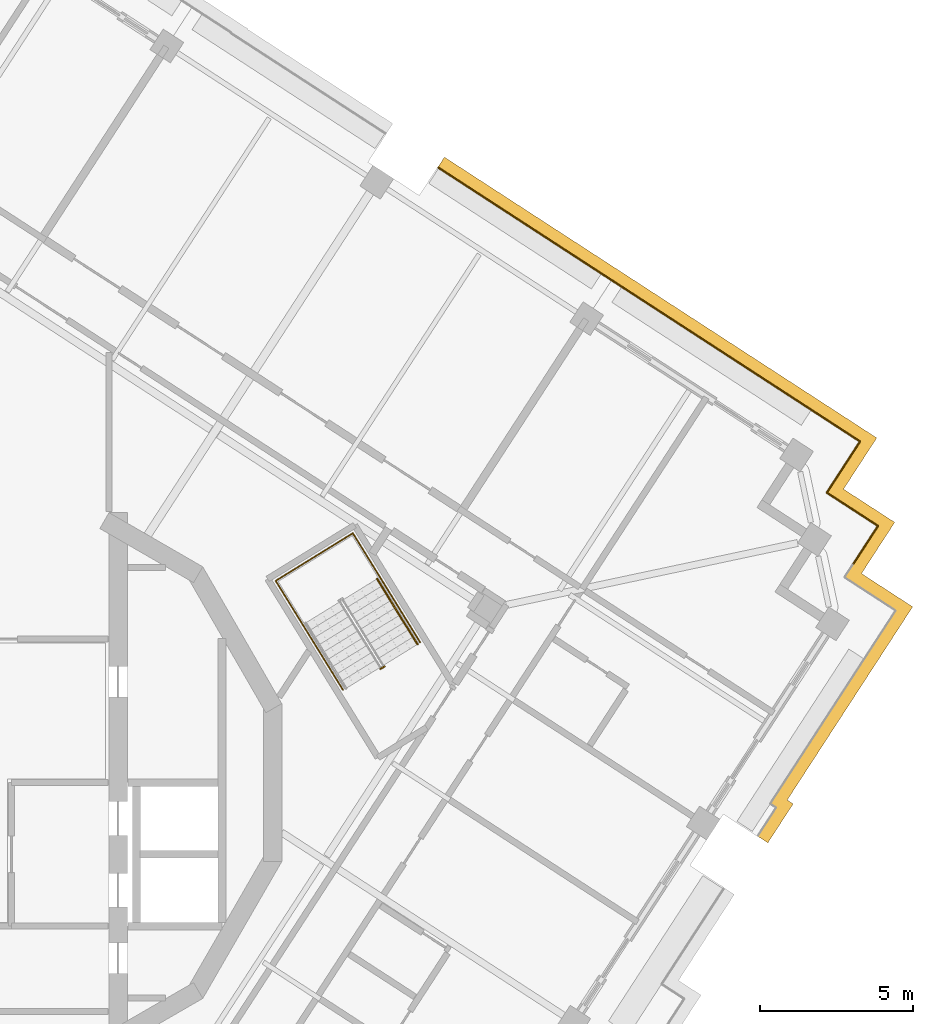
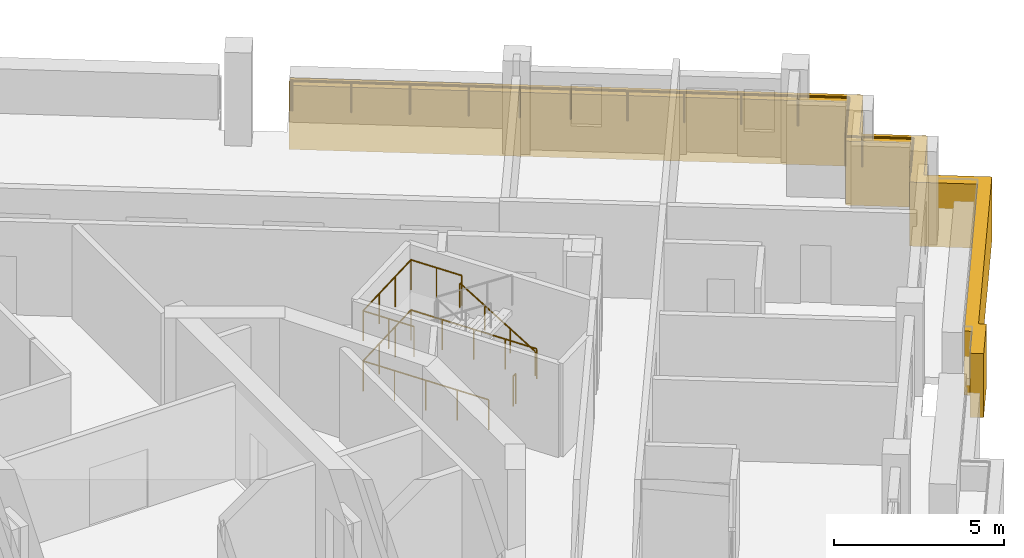
# One storey, part 14 of 15: 5 railings, 1 covering.
"""IFC4 building model written with IfcOpenShell, lengths in metres."""

from ifc_helpers import new_model, si_unit, direction, frame, origin, origin_2d, place, context, subcontext, project, spatial, polyline, circle, outline, extrude, material, type_object, element, save


model = new_model("IFC4")

# Units and contexts
model_context = context("Model", 3, precision=1e-05, world=origin(), true_north=direction((0.0, 1.0)))
body_context = subcontext(model_context, "Body", "Model", "MODEL_VIEW")
ifc_project = project(units=[si_unit("LENGTHUNIT", "METRE"), si_unit("AREAUNIT", "SQUARE_METRE"), si_unit("VOLUMEUNIT", "CUBIC_METRE"), si_unit("PLANEANGLEUNIT", "RADIAN"), si_unit("MASSUNIT", "GRAM", prefix="KILO")], contexts=[model_context])

# Site, building, storey
site_placement = place(None, origin())
site = spatial("IfcSite", under=ifc_project, at=site_placement, CompositionType="ELEMENT")
building_placement = place(site_placement, origin())
building = spatial("IfcBuilding", under=site, at=building_placement, Name="Cantera Rosa Tower", CompositionType="ELEMENT")
storey_placement = place(building_placement, frame((0.0, 0.0, 272.10009765625)))
storey = spatial("IfcBuildingStorey", under=building, at=storey_placement, Name="L61", CompositionType="ELEMENT", Elevation=272.10009765625)

# Railings
ifc_material_1 = material(Name="Stainless steel and laminated glass", Category="steel")
railing_type_1 = type_object("IfcRailingType", Name="GUARD 1100", PredefinedType="BALUSTRADE", material=ifc_material_1)
railing_1_placement = place(storey_placement, frame((14.7880859375, 20.14599609375, 0.0)))
element("IfcRailing", 1, at=railing_1_placement, inside=storey, type_object=railing_type_1, Name="GUARD L61-8", PredefinedType="BALUSTRADE", context=body_context, shape_type="SweptSolid", body=[
    extrude(circle(Radius=0.030029296875, at=origin_2d()), frame((0.0, 0.0, 1.070068359375), z_axis=(0.838443616301, -0.544988350595, 0.0), x_axis=(0.544988350595, 0.838443616301, 0.0)), (0.0, 0.0, 1.0), 0.06982421875),
    extrude(circle(Radius=0.030029296875, at=origin_2d()), frame((0.05859375, -0.0380859375, 1.070068359375), z_axis=(0.838657010828, -0.544659910576, 0.0), x_axis=(0.544659910576, 0.838657010828, 0.0)), (0.0, 0.0, 1.0), 5.2001953125),
    extrude(circle(Radius=0.030029296875, at=origin_2d()), frame((4.419677734375, -2.870361328125, 1.070068359375), z_axis=(0.8387001057, -0.544593548161, 0.0), x_axis=(0.544593548161, 0.8387001057, 0.0)), (0.0, 0.0, 1.0), 3.0),
    extrude(circle(Radius=0.030029296875, at=origin_2d()), frame((6.935791015625, -4.504150390625, 1.070068359375), z_axis=(0.838666659313, -0.544645053734, 0.0), x_axis=(0.544645053734, 0.838666659313, 0.0)), (0.0, 0.0, 1.0), 6.7001953125),
    extrude(circle(Radius=0.030029296875, at=origin_2d()), frame((12.554931640625, -8.1533203125, 1.070068359375), z_axis=(0.838651824232, -0.544667896716, 0.0), x_axis=(0.544667896716, 0.838651824232, 0.0)), (0.0, 0.0, 1.0), 1.499755859375),
    extrude(circle(Radius=0.030029296875, at=origin_2d()), frame((13.812744140625, -8.97021484375, 1.070068359375), z_axis=(-0.544593548161, -0.8387001057, 0.0), x_axis=(0.8387001057, -0.544593548161, 0.0)), (0.0, 0.0, 1.0), 1.5),
    extrude(circle(Radius=0.030029296875, at=origin_2d()), frame((12.995849609375, -10.228271484375, 1.070068359375), z_axis=(-0.544627753175, -0.83867789435, 0.0), x_axis=(0.83867789435, -0.544627753175, 0.0)), (0.0, 0.0, 1.0), 0.499755859375),
    extrude(circle(Radius=0.030029296875, at=origin_2d()), frame((12.7236328125, -10.6474609375, 1.070068359375), z_axis=(0.838454772945, -0.544971186143, 0.0), x_axis=(0.544971186143, 0.838454772945, 0.0)), (0.0, 0.0, 1.0), 0.5),
    extrude(circle(Radius=0.030029296875, at=origin_2d()), frame((13.142822265625, -10.919921875, 1.070068359375), z_axis=(0.8387001057, -0.544593548161, 0.0), x_axis=(0.544593548161, 0.8387001057, 0.0)), (0.0, 0.0, 1.0), 1.5),
    extrude(circle(Radius=0.030029296875, at=origin_2d()), frame((14.40087890625, -11.73681640625, 1.070068359375), z_axis=(-0.544593548161, -0.8387001057, 0.0), x_axis=(0.8387001057, -0.544593548161, 0.0)), (0.0, 0.0, 1.0), 1.5),
    extrude(circle(Radius=0.02490234375, at=origin_2d()), origin(), (0.0, 0.0, 1.0), 1.0400390625),
    extrude(circle(Radius=0.02490234375, at=origin_2d()), frame((0.05859375, -0.0380859375, 0.0)), (0.0, 0.0, 1.0), 1.0400390625),
    extrude(circle(Radius=0.02490234375, at=origin_2d()), frame((1.51220703125, -0.982177734375, 0.0)), (0.0, 0.0, 1.0), 1.0400390625),
    extrude(circle(Radius=0.02490234375, at=origin_2d()), frame((2.966064453125, -1.92626953125, 0.0)), (0.0, 0.0, 1.0), 1.0400390625),
    extrude(circle(Radius=0.02490234375, at=origin_2d()), frame((4.419677734375, -2.870361328125, 0.0)), (0.0, 0.0, 1.0), 1.0400390625),
    extrude(circle(Radius=0.02490234375, at=origin_2d()), frame((5.677734375, -3.687255859375, 0.0)), (0.0, 0.0, 1.0), 1.0400390625),
    extrude(circle(Radius=0.02490234375, at=origin_2d()), frame((6.935791015625, -4.504150390625, 0.0)), (0.0, 0.0, 1.0), 1.0400390625),
    extrude(circle(Radius=0.02490234375, at=origin_2d()), frame((8.340576171875, -5.41650390625, 0.0)), (0.0, 0.0, 1.0), 1.0400390625),
    extrude(circle(Radius=0.02490234375, at=origin_2d()), frame((9.745361328125, -6.32861328125, 0.0)), (0.0, 0.0, 1.0), 1.0400390625),
    extrude(circle(Radius=0.02490234375, at=origin_2d()), frame((11.150146484375, -7.240966796875, 0.0)), (0.0, 0.0, 1.0), 1.0400390625),
    extrude(circle(Radius=0.02490234375, at=origin_2d()), frame((12.554931640625, -8.1533203125, 0.0)), (0.0, 0.0, 1.0), 1.0400390625),
    extrude(circle(Radius=0.02490234375, at=origin_2d()), frame((13.812744140625, -8.97021484375, 0.0)), (0.0, 0.0, 1.0), 1.0400390625),
    extrude(circle(Radius=0.02490234375, at=origin_2d()), frame((12.995849609375, -10.228271484375, 0.0)), (0.0, 0.0, 1.0), 1.0400390625),
    extrude(circle(Radius=0.02490234375, at=origin_2d()), frame((12.7236328125, -10.6474609375, 0.0)), (0.0, 0.0, 1.0), 1.0400390625),
    extrude(circle(Radius=0.02490234375, at=origin_2d()), frame((13.142822265625, -10.919921875, 0.0)), (0.0, 0.0, 1.0), 1.0400390625),
    extrude(circle(Radius=0.02490234375, at=origin_2d()), frame((14.40087890625, -11.73681640625, 0.0)), (0.0, 0.0, 1.0), 1.0400390625),
    extrude(circle(Radius=0.02490234375, at=origin_2d()), frame((13.583984375, -12.994873046875, 0.0)), (0.0, 0.0, 1.0), 1.0400390625),
])
ifc_material_2 = material(Name="Steel S355J2 (EN 10025-2)", Category="steel")
railing_type_2 = type_object("IfcRailingType", Name="STAIR GUARD 1100", PredefinedType="GUARDRAIL", material=ifc_material_2)
railing_2_placement = place(storey_placement, frame((13.025146484375, 3.80517578125, 0.0)))
element("IfcRailing", 2, at=railing_2_placement, inside=storey, type_object=railing_type_2, Name="L61 ST-51 stair guard 3", PredefinedType="GUARDRAIL", context=body_context, shape_type="SweptSolid", body=[
    extrude(circle(Radius=0.02392578125, at=origin_2d()), frame((0.0, 0.0, 1.076171875), z_axis=(-0.851546489876, -0.524279100842, 0.0), x_axis=(0.524279100842, -0.851546489876, 0.0)), (0.0, 0.0, 1.0), 0.14990234375),
    extrude(circle(Radius=0.02099609375, at=origin_2d()), origin(), (0.0, 0.0, 1.0), 1.052001953125),
    extrude(circle(Radius=0.02099609375, at=origin_2d()), frame((-0.127685546875, -0.07861328125, 0.0)), (0.0, 0.0, 1.0), 1.052001953125),
])
railing_3_placement = place(storey_placement, frame((14.192626953125, 4.59814453125, 0.0)))
element("IfcRailing", 3, at=railing_3_placement, inside=storey, type_object=railing_type_2, Name="L61 ST-51 stair guard 4", PredefinedType="GUARDRAIL", context=body_context, shape_type="SweptSolid", body=[
    extrude(circle(Radius=0.02392578125, at=origin_2d()), frame((0.0, 0.0, 1.076171875), z_axis=(-0.524976478809, 0.851116735059, 0.0), x_axis=(-0.851116735059, -0.524976478809, 0.0)), (0.0, 0.0, 1.0), 4.197998046875),
    extrude(circle(Radius=0.02392578125, at=origin_2d()), frame((-2.203857421875, 3.572998046875, 1.076171875), z_axis=(-0.851132917336, -0.524950242429, 0.0), x_axis=(0.524950242429, -0.851132917336, 0.0)), (0.0, 0.0, 1.0), 2.969970703125),
    extrude(circle(Radius=0.02392578125, at=origin_2d()), frame((-4.731689453125, 2.013916015625, 1.076171875), z_axis=(0.524976478809, -0.851116735059, 0.0), x_axis=(0.851116735059, 0.524976478809, 0.0)), (0.0, 0.0, 1.0), 4.197998046875),
    extrude(circle(Radius=0.02099609375, at=origin_2d()), origin(), (0.0, 0.0, 1.0), 1.052001953125),
    extrude(circle(Radius=0.02099609375, at=origin_2d()), frame((-0.551025390625, 0.893310546875, 0.0)), (0.0, 0.0, 1.0), 1.052001953125),
    extrude(circle(Radius=0.02099609375, at=origin_2d()), frame((-1.10205078125, 1.78662109375, 0.0)), (0.0, 0.0, 1.0), 1.052001953125),
    extrude(circle(Radius=0.02099609375, at=origin_2d()), frame((-1.65283203125, 2.6796875, 0.0)), (0.0, 0.0, 1.0), 1.052001953125),
    extrude(circle(Radius=0.02099609375, at=origin_2d()), frame((-2.203857421875, 3.572998046875, 0.0)), (0.0, 0.0, 1.0), 1.052001953125),
    extrude(circle(Radius=0.02099609375, at=origin_2d()), frame((-3.04638671875, 3.05322265625, 0.0)), (0.0, 0.0, 1.0), 1.052001953125),
    extrude(circle(Radius=0.02099609375, at=origin_2d()), frame((-3.88916015625, 2.53369140625, 0.0)), (0.0, 0.0, 1.0), 1.052001953125),
    extrude(circle(Radius=0.02099609375, at=origin_2d()), frame((-4.731689453125, 2.013916015625, 0.0)), (0.0, 0.0, 1.0), 1.052001953125),
    extrude(circle(Radius=0.02099609375, at=origin_2d()), frame((-4.1806640625, 1.12060546875, 0.0)), (0.0, 0.0, 1.0), 1.052001953125),
    extrude(circle(Radius=0.02099609375, at=origin_2d()), frame((-3.6298828125, 0.2275390625, 0.0)), (0.0, 0.0, 1.0), 1.052001953125),
    extrude(circle(Radius=0.02099609375, at=origin_2d()), frame((-3.078857421875, -0.665771484375, 0.0)), (0.0, 0.0, 1.0), 1.052001953125),
    extrude(circle(Radius=0.02099609375, at=origin_2d()), frame((-2.52783203125, -1.55908203125, 0.0)), (0.0, 0.0, 1.0), 1.052001953125),
])
railing_4_placement = place(storey_placement, frame((12.88232421875, 6.72265625, 1.7998046875)))
element("IfcRailing", 4, at=railing_4_placement, inside=storey, type_object=railing_type_2, Name="L61 ST-51 stair guard 5", PredefinedType="GUARDRAIL", context=body_context, shape_type="SweptSolid", body=[
    extrude(circle(Radius=0.02392578125, at=origin_2d()), frame((0.0, 0.0, 1.076171875), z_axis=(-0.525025534833, 0.851086474909, 0.0), x_axis=(-0.851086474909, -0.525025534833, 0.0)), (0.0, 0.0, 1.0), 1.701904296875),
    extrude(circle(Radius=0.02392578125, at=origin_2d()), frame((-0.8935546875, 1.448486328125, 1.076171875), z_axis=(-0.851132917336, -0.524950242429, 0.0), x_axis=(0.524950242429, -0.851132917336, 0.0)), (0.0, 0.0, 1.0), 2.969970703125),
    extrude(circle(Radius=0.02392578125, at=origin_2d()), frame((-3.42138671875, -0.110595703125, 1.076171875), z_axis=(0.524961441845, -0.851126009811, 0.0), x_axis=(0.851126009811, 0.524961441845, 0.0)), (0.0, 0.0, 1.0), 1.7021484375),
    extrude(circle(Radius=0.02099609375, at=origin_2d()), origin(), (0.0, 0.0, 1.0), 1.052001953125),
    extrude(circle(Radius=0.02099609375, at=origin_2d()), frame((-0.44677734375, 0.72412109375, 0.0)), (0.0, 0.0, 1.0), 1.052001953125),
    extrude(circle(Radius=0.02099609375, at=origin_2d()), frame((-0.8935546875, 1.448486328125, 0.0)), (0.0, 0.0, 1.0), 1.052001953125),
    extrude(circle(Radius=0.02099609375, at=origin_2d()), frame((-1.736083984375, 0.9287109375, 0.0)), (0.0, 0.0, 1.0), 1.052001953125),
    extrude(circle(Radius=0.02099609375, at=origin_2d()), frame((-2.578857421875, 0.4091796875, 0.0)), (0.0, 0.0, 1.0), 1.052001953125),
    extrude(circle(Radius=0.02099609375, at=origin_2d()), frame((-3.42138671875, -0.110595703125, 0.0)), (0.0, 0.0, 1.0), 1.052001953125),
    extrude(circle(Radius=0.02099609375, at=origin_2d()), frame((-2.974609375, -0.8349609375, 0.0)), (0.0, 0.0, 1.0), 1.052001953125),
    extrude(circle(Radius=0.02099609375, at=origin_2d()), frame((-2.52783203125, -1.559326171875, 0.0)), (0.0, 0.0, 1.0), 1.052001953125),
])
ifc_material_3 = material(Name="Steel S355J2 (EN 10025-2)", Category="steel")
railing_type_3 = type_object("IfcRailingType", Name="STAIR HANDRAIL 900", PredefinedType="HANDRAIL", material=ifc_material_3)
railing_5_placement = place(storey_placement, frame((14.105224609375, 4.5302734375, 0.179931640625)))
element("IfcRailing", 5, at=railing_5_placement, inside=storey, type_object=railing_type_3, Name="L61 ST-51 stair handrail 1", PredefinedType="HANDRAIL", context=body_context, shape_type="SweptSolid", body=[
    extrude(circle(Radius=0.02392578125, at=origin_2d()), frame((0.0, 0.0, 0.8759765625), z_axis=(-0.441628529057, 0.715945124149, 0.540728047664), x_axis=(-0.851102330005, -0.524999832248, 0.0)), (0.0, 0.0, 1.0), 2.99560546875),
    extrude(circle(Radius=0.02099609375, at=origin_2d()), origin(), (0.0, 0.0, 1.0), 0.851806640625),
    extrude(circle(Radius=0.02099609375, at=origin_2d()), frame((-0.44091796875, 0.71484375, 0.5400390625)), (0.0, 0.0, 1.0), 0.851806640625),
    extrude(circle(Radius=0.02099609375, at=origin_2d()), frame((-0.882080078125, 1.429931640625, 1.079833984375)), (0.0, 0.0, 1.0), 0.851806640625),
    extrude(circle(Radius=0.02099609375, at=origin_2d()), frame((-1.322998046875, 2.144775390625, 1.619873046875)), (0.0, 0.0, 1.0), 0.851806640625),
])

# Covering
ifc_material_4 = material(Name="Cantera stone", Category="masonry")
covering_type = type_object("IfcCoveringType", Name="TRAY FASCIA 400", PredefinedType="CLADDING", material=ifc_material_4)
covering_placement = place(storey_placement, frame((0.0, 0.0, -1.400146484375)))
element("IfcCovering", 6, at=covering_placement, inside=storey, type_object=covering_type, Name="TRAY FASCIA L61-04", PredefinedType="CLADDING", context=body_context, shape_type="SweptSolid", body=[
    extrude(outline(polyline([(15.064697265625, 20.443359375), (19.42578125, 17.611328125), (21.941650390625, 15.977294921875), (27.560791015625, 12.328125), (29.154296875, 11.29345703125), (28.119384765625, 9.699951171875), (28.06494140625, 9.615966796875), (28.14892578125, 9.5615234375), (29.742431640625, 8.52685546875), (28.70751953125, 6.933349609375), (28.653076171875, 6.849365234375), (28.73681640625, 6.794921875), (30.330322265625, 5.76025390625), (29.295654296875, 4.166748046875), (26.219970703125, -0.5693359375), (26.415283203125, -0.6962890625), (25.585693359375, -1.973388671875), (25.250244140625, -1.755615234375), (25.86181640625, -0.813720703125), (25.66650390625, -0.68701171875), (28.960205078125, 4.384521484375), (29.777099609375, 5.642578125), (28.51904296875, 6.45947265625), (28.099853515625, 6.73193359375), (28.3720703125, 7.151123046875), (29.18896484375, 8.4091796875), (27.930908203125, 9.22607421875), (27.51171875, 9.49853515625), (27.783935546875, 9.917724609375), (28.600830078125, 11.17578125), (27.343017578125, 11.99267578125), (21.723876953125, 15.641845703125), (19.207763671875, 17.275634765625), (14.8466796875, 20.10791015625), (14.771240234375, 20.156982421875), (14.989013671875, 20.492431640625), (15.064697265625, 20.443359375)])), origin(), (0.0, 0.0, 1.0), 2.300048828125),
])

save(model, "model.ifc")
